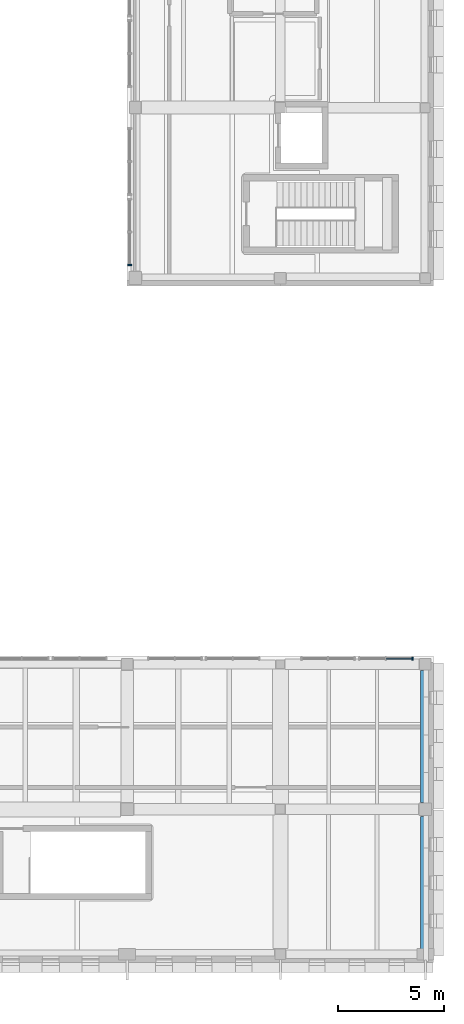
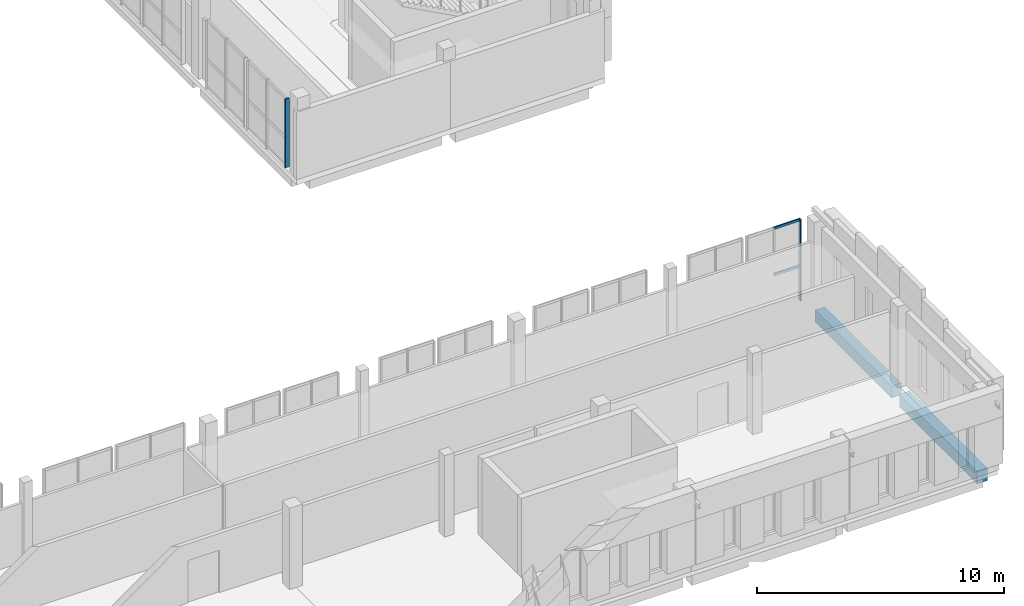
# One storey, part 23 of 56: 4 members, 2 beams, 2 elements without a shape of their own.
"""IFC4 building model written with IfcOpenShell, lengths in metres."""

import ifcopenshell
import ifcopenshell.guid

model = None  # the IFC model being written
_history = None  # IfcOwnerHistory: only IFC2X3 demands one
_inside = {}  # id of a spatial element -> (the spatial element, [elements in it])
_under = {}  # id of a project, library or spatial element -> (it, [spatial elements below it])
_declared = {}  # id of a project -> (the project, [libraries it declares])
_typed = {}  # id of a type object -> (the type object, [elements of that type])
_made_of = {}  # id of a material, layer set ... -> (it, [elements and type objects made of it])


def new_model(schema):
    """Start an empty IFC model of exactly this schema.

    Asked for "IFC4X3", IfcOpenShell would pick the latest addendum, in which some entities
    have other attributes; the version numbers below select the first issue.
    IFC2X3 requires an IfcOwnerHistory on every rooted entity: one is made here for all.
    """
    global model, _history
    if schema == "IFC4X3":
        model = ifcopenshell.file(schema_version=(4, 3, 0, 0))
    else:
        model = ifcopenshell.file(schema=schema)
    _inside.clear()
    _under.clear()
    _declared.clear()
    _typed.clear()
    _made_of.clear()
    _history = None
    if model.schema == "IFC2X3":
        org = make("IfcOrganization", Name="unknown")
        user = make(
            "IfcPersonAndOrganization",
            ThePerson=make("IfcPerson", FamilyName="unknown"),
            TheOrganization=org,
        )
        app = make(
            "IfcApplication",
            ApplicationDeveloper=org,
            Version="unknown",
            ApplicationFullName="unknown",
            ApplicationIdentifier="unknown",
        )
        _history = make(
            "IfcOwnerHistory",
            OwningUser=user,
            OwningApplication=app,
            ChangeAction="ADDED",
            CreationDate=0,
        )
    return model


def make(cls, **values):
    """One entity of the class cls with the attributes given. An attribute that is None is left unset."""
    return model.create_entity(
        cls, **{name: value for name, value in values.items() if value is not None}
    )


def rooted(cls, **values):
    """An entity with a GlobalId (a new one), such as an element, a storey or a relation."""
    return make(cls, GlobalId=ifcopenshell.guid.new(), OwnerHistory=_history, **values)


def si_unit(unit_type, name, prefix=None):
    """IfcSIUnit, for example si_unit("LENGTHUNIT", "METRE", prefix="MILLI")."""
    return make("IfcSIUnit", UnitType=unit_type, Prefix=prefix, Name=name)


def assignment(units):
    """IfcUnitAssignment: the units of a project."""
    return None if units is None else make("IfcUnitAssignment", Units=units)


def point(xyz):
    """IfcCartesianPoint."""
    return None if xyz is None else make("IfcCartesianPoint", Coordinates=xyz)


def direction(xyz):
    """IfcDirection."""
    return None if xyz is None else make("IfcDirection", DirectionRatios=xyz)


def frame(location, z_axis=None, x_axis=None):
    """IfcAxis2Placement3D, a coordinate frame: its origin and axes. An axis left out is left unset."""
    return make(
        "IfcAxis2Placement3D",
        Location=point(location),
        Axis=direction(z_axis),
        RefDirection=direction(x_axis),
    )


def frame_2d(location, x_axis=None):
    """IfcAxis2Placement2D, a coordinate frame in the plane: its origin and x axis."""
    return make(
        "IfcAxis2Placement2D", Location=point(location), RefDirection=direction(x_axis)
    )


def origin():
    """The frame at (0, 0, 0) with its axes left unset."""
    return frame((0.0, 0.0, 0.0))


def origin_2d():
    """The frame at (0, 0) in the plane with its x axis left unset."""
    return frame_2d((0.0, 0.0))


def place(relative_to, where):
    """IfcLocalPlacement: puts the frame where relative to a parent placement (None: the world)."""
    return make(
        "IfcLocalPlacement", PlacementRelTo=relative_to, RelativePlacement=where
    )


def context(
    kind, dimensions, precision=None, world=None, true_north=None, identifier=None
):
    """IfcGeometricRepresentationContext, for example the 3D "Model" context."""
    return make(
        "IfcGeometricRepresentationContext",
        ContextIdentifier=identifier,
        ContextType=kind,
        CoordinateSpaceDimension=dimensions,
        Precision=precision,
        WorldCoordinateSystem=world,
        TrueNorth=true_north,
    )


def subcontext(parent, identifier, kind, view, scale=None):
    """IfcGeometricRepresentationSubContext, for example "Body" below "Model"."""
    return make(
        "IfcGeometricRepresentationSubContext",
        ContextIdentifier=identifier,
        ContextType=kind,
        ParentContext=parent,
        TargetScale=scale,
        TargetView=view,
    )


def project(units=None, contexts=None):
    """IfcProject with its units and contexts."""
    return rooted(
        "IfcProject",
        Name="project",
        RepresentationContexts=contexts,
        UnitsInContext=assignment(units),
    )


def spatial(cls, under=None, at=None, **own):
    """A site, building, storey or space (cls), placed at a placement, below another one or the project."""
    s = rooted(cls, ObjectPlacement=at, **own)
    if under is not None:
        _under.setdefault(under.id(), (under, []))[1].append(s)
    return s


def profile(cls, at=None, kind="AREA", **sizes):
    """A parametric profile (cls). Its sizes go by their IFC names, for example OverallWidth=200.0."""
    return make(cls, ProfileType=kind, Position=at, **sizes)


def rectangle(**sizes):
    """IfcRectangleProfileDef."""
    return profile("IfcRectangleProfileDef", **sizes)


def extrude(swept, where, along, depth):
    """IfcExtrudedAreaSolid: the profile swept, set in the frame where, extruded along a direction by depth."""
    return make(
        "IfcExtrudedAreaSolid",
        SweptArea=swept,
        Position=where,
        ExtrudedDirection=direction(along),
        Depth=depth,
    )


def shape(context_of_items, identifier, shape_type, items):
    """IfcShapeRepresentation: the items that make up one representation, for example the "Body"."""
    return make(
        "IfcShapeRepresentation",
        ContextOfItems=context_of_items,
        RepresentationIdentifier=identifier,
        RepresentationType=shape_type,
        Items=items,
    )


def material(Name=None, Category=None):
    """IfcMaterial."""
    return make("IfcMaterial", Name=Name, Category=Category)


def layer(
    of_material, thickness, ventilated=None, Name=None, Category=None, Priority=None
):
    """IfcMaterialLayer: one layer of a wall or slab, of a material (None: an air gap)."""
    return make(
        "IfcMaterialLayer",
        Material=of_material,
        LayerThickness=thickness,
        IsVentilated=ventilated,
        Name=Name,
        Category=Category,
        Priority=Priority,
    )


def layer_set(layers, Name=None):
    """IfcMaterialLayerSet."""
    return make("IfcMaterialLayerSet", MaterialLayers=layers, LayerSetName=Name)


def material_profile(
    of_material, cross_section, Name=None, Category=None, Priority=None
):
    """IfcMaterialProfile: a cross section and its material."""
    return make(
        "IfcMaterialProfile",
        Name=Name,
        Material=of_material,
        Profile=cross_section,
        Priority=Priority,
        Category=Category,
    )


def profile_set(profiles, Name=None, composite=None):
    """IfcMaterialProfileSet."""
    return make(
        "IfcMaterialProfileSet",
        Name=Name,
        MaterialProfiles=profiles,
        CompositeProfile=composite,
    )


def made_of(thing, what):
    """Note that an element or type object is made of a material, layer set ...; save() writes the relation."""
    if what is not None:
        _made_of.setdefault(what.id(), (what, []))[1].append(thing)
    return thing


def type_object(cls, material=None, **own):
    """A type object (cls), such as IfcWallType, which elements share."""
    return made_of(rooted(cls, **own), material)


def element(
    cls,
    number,
    at=None,
    inside=None,
    cuts=None,
    type_object=None,
    material=None,
    context=None,
    identifier="Body",
    shape_type=None,
    held_by="IfcProductDefinitionShape",
    body=None,
    shapes=None,
    **own,
):
    """One element of the class cls, such as IfcWall. Its Tag is "e" and its number.

    at: its placement. inside: the storey or other place that contains it. cuts: it is an
    opening in that element (IfcRelVoidsElement). A single representation is given by context,
    identifier, shape_type and body (its items); several are given by shapes. held_by: the class
    of the entity that holds the representations. save() writes the other relations.
    """
    e = rooted(cls, Tag="e%d" % number, ObjectPlacement=at, **own)
    if body is not None:
        shapes = [shape(context, identifier, shape_type, body)]
    if shapes is not None:
        e.Representation = make(held_by, Representations=shapes)
    if inside is not None:
        _inside.setdefault(inside.id(), (inside, []))[1].append(e)
    if cuts is not None:
        rooted(
            "IfcRelVoidsElement", RelatingBuildingElement=cuts, RelatedOpeningElement=e
        )
    if type_object is not None:
        _typed.setdefault(type_object.id(), (type_object, []))[1].append(e)
    return made_of(e, material)


def aggregate(whole, parts):
    """IfcRelAggregates: a whole, such as a stair, and the parts it consists of."""
    return rooted("IfcRelAggregates", RelatingObject=whole, RelatedObjects=parts)


def save(model, path):
    """Write the relations noted so far, then the file.

    IfcRelAggregates (storeys below a building ...), IfcRelContainedInSpatialStructure (elements
    in a storey), IfcRelDefinesByType, IfcRelAssociatesMaterial and IfcRelDeclares: one each for
    every whole, place, type object, material and project.
    """
    for whole, parts in _under.values():
        aggregate(whole, parts)
    for where, things in _inside.values():
        rooted(
            "IfcRelContainedInSpatialStructure",
            RelatedElements=things,
            RelatingStructure=where,
        )
    for kind, things in _typed.values():
        rooted("IfcRelDefinesByType", RelatedObjects=things, RelatingType=kind)
    for what, things in _made_of.values():
        rooted("IfcRelAssociatesMaterial", RelatedObjects=things, RelatingMaterial=what)
    for by, libraries in _declared.values():
        rooted("IfcRelDeclares", RelatingContext=by, RelatedDefinitions=libraries)
    model.write(path)


model = new_model("IFC4")

# Units and contexts
model_context = context("Model", 3, precision=1e-05, world=origin(), true_north=direction((0.0, 1.0)))
body_context = subcontext(model_context, "Body", "Model", "MODEL_VIEW")
ifc_project = project(units=[si_unit("LENGTHUNIT", "METRE"), si_unit("AREAUNIT", "SQUARE_METRE"), si_unit("VOLUMEUNIT", "CUBIC_METRE"), si_unit("PLANEANGLEUNIT", "RADIAN"), si_unit("MASSUNIT", "GRAM", prefix="KILO")], contexts=[model_context])

# Site, building, storey
site_placement = place(None, origin())
site = spatial("IfcSite", under=ifc_project, at=site_placement, CompositionType="ELEMENT")
building_placement = place(site_placement, origin())
building = spatial("IfcBuilding", under=site, at=building_placement, Name="Vardoun Plaza Health Centre", CompositionType="ELEMENT")
storey_placement = place(building_placement, frame((0.0, 0.0, 8.699951171875)))
storey = spatial("IfcBuildingStorey", under=building, at=storey_placement, Name="L02", CompositionType="ELEMENT", Elevation=8.699951171875)

# Beams
ifc_material_1 = material(Name="Concrete C35/45", Category="concrete")
ifc_material_profile_1 = material_profile(ifc_material_1, rectangle(XDim=0.449951171875, YDim=0.60009765625, at=origin_2d()), Name="RC-BM 450x600")
ifc_profile_set_1 = profile_set([ifc_material_profile_1], Name="Concrete C35/45")
beam_type_1 = type_object("IfcBeamType", Name="B-11", PredefinedType="SPANDREL", material=ifc_profile_set_1)
beam_1_placement = place(storey_placement, frame((164.919921875, 12.02490234375, -0.594970703125), z_axis=(0.0, 1.0, 0.0), x_axis=(-1.0, 0.0, 0.0)))
element("IfcBeam", 1, at=beam_1_placement, inside=storey, type_object=beam_type_1, Name="V5 L02 Beam B-V5-L02-Y40", PredefinedType="SPANDREL", context=body_context, shape_type="SweptSolid", body=[
    extrude(rectangle(XDim=0.449951171875, YDim=0.60009765625, at=origin_2d()), origin(), (0.0, 0.0, 1.0), 6.195068359375),
])
ifc_material_2 = material(Name="Concrete C35/45", Category="concrete")
ifc_material_profile_2 = material_profile(ifc_material_2, rectangle(XDim=0.47998046875, YDim=0.6201171875, at=origin_2d()), Name="RC-BM 480x620")
ifc_profile_set_2 = profile_set([ifc_material_profile_2], Name="Concrete C35/45")
beam_type_2 = type_object("IfcBeamType", Name="B-12", PredefinedType="SPANDREL", material=ifc_profile_set_2)
beam_2_placement = place(storey_placement, frame((164.919921875, 5.080078125, -0.60498046875), z_axis=(0.0, 1.0, 0.0), x_axis=(-1.0, 0.0, 0.0)))
element("IfcBeam", 2, at=beam_2_placement, inside=storey, type_object=beam_type_2, Name="V5 L02 Beam B-V5-L02-Y39", PredefinedType="SPANDREL", context=body_context, shape_type="SweptSolid", body=[
    extrude(rectangle(XDim=0.47998046875, YDim=0.6201171875, at=origin_2d()), origin(), (0.0, 0.0, 1.0), 6.294921875),
])

# Curtain wall, member
ifc_material_3 = material(Name="Aluminium Alloy EN AW-6063-T6 and Low-E Glass", Category="aluminium")
ifc_layer_1 = layer(ifc_material_3, 0.14990234375)
ifc_layer_set_1 = layer_set([ifc_layer_1], Name="Aluminium Alloy EN AW-6063-T6 and Low-E Glass")
curtain_wall_type_1 = type_object("IfcCurtainWallType", Name="CW-03", PredefinedType="NOTDEFINED", material=ifc_layer_set_1)
curtain_wall_1_placement = place(storey_placement, origin())
curtain_wall_1 = element("IfcCurtainWall", 3, at=curtain_wall_1_placement, inside=storey, type_object=curtain_wall_type_1, Name="Curtain Wall CW-V5-180", PredefinedType="NOTDEFINED")
ifc_material_4 = material(Name="Aluminium Alloy EN AW-6063-T6", Category="aluminium")
ifc_material_profile_3 = material_profile(ifc_material_4, rectangle(XDim=0.159912109375, YDim=0.06005859375, at=origin_2d()), Name="CWM 60x160")
ifc_profile_set_3 = profile_set([ifc_material_profile_3], Name="Aluminium Alloy EN AW-6063-T6")
member_type_1 = type_object("IfcMemberType", Name="CW-M1", PredefinedType="MULLION", material=ifc_profile_set_3)
member_1_placement = place(storey_placement, frame((164.31005859375, 18.780029296875, 0.0), z_axis=(0.0, 0.0, 1.0), x_axis=(0.0, 1.0, 0.0)))
member_1 = element("IfcMember", 4, at=member_1_placement, type_object=member_type_1, Name="CW-V5-180 mullion 3", PredefinedType="MULLION", context=body_context, shape_type="SweptSolid", body=[
    extrude(rectangle(XDim=0.159912109375, YDim=0.06005859375, at=origin_2d()), origin(), (0.0, 0.0, 1.0), 4.005126953125),
])

ifc_material_5 = material(Name="Aluminium Alloy EN AW-6063-T6 and Low-E Glass", Category="aluminium")
ifc_layer_2 = layer(ifc_material_5, 0.179931640625)
ifc_layer_set_2 = layer_set([ifc_layer_2], Name="Aluminium Alloy EN AW-6063-T6 and Low-E Glass")
curtain_wall_type_2 = type_object("IfcCurtainWallType", Name="CW-01", PredefinedType="USERDEFINED", material=ifc_layer_set_2)
curtain_wall_2_placement = place(storey_placement, origin())
curtain_wall_2 = element("IfcCurtainWall", 5, at=curtain_wall_2_placement, inside=storey, type_object=curtain_wall_type_2, Name="Curtain Wall CW-V6-215", ObjectType="CONCOURSE_CURTAIN_WALL", PredefinedType="USERDEFINED")
ifc_material_6 = material(Name="Aluminium Alloy EN AW-6063-T6", Category="aluminium")
ifc_material_profile_4 = material_profile(ifc_material_6, rectangle(XDim=0.179931640625, YDim=0.06494140625, at=origin_2d()), Name="CWM 65x180")
ifc_profile_set_4 = profile_set([ifc_material_profile_4], Name="Aluminium Alloy EN AW-6063-T6")
member_type_2 = type_object("IfcMemberType", Name="CW-M2", PredefinedType="MULLION", material=ifc_profile_set_4)
member_2_placement = place(storey_placement, frame((151.02001953125, 37.29248046875, 0.0), z_axis=(0.0, 0.0, 1.0), x_axis=(-1.0, 0.0, 0.0)))
member_2 = element("IfcMember", 6, at=member_2_placement, type_object=member_type_2, Name="CW-V6-215 mullion 1", PredefinedType="MULLION", context=body_context, shape_type="SweptSolid", body=[
    extrude(rectangle(XDim=0.179931640625, YDim=0.06494140625, at=origin_2d()), origin(), (0.0, 0.0, 1.0), 3.385009765625),
])
aggregate(curtain_wall_2, [member_2])

# Member
ifc_material_7 = material(Name="Aluminium Alloy EN AW-6063-T6", Category="aluminium")
ifc_material_profile_5 = material_profile(ifc_material_7, rectangle(XDim=0.06005859375, YDim=0.1201171875, at=origin_2d()), Name="CWT 60x120")
ifc_profile_set_5 = profile_set([ifc_material_profile_5], Name="Aluminium Alloy EN AW-6063-T6")
member_type_3 = type_object("IfcMemberType", Name="CW-T1", PredefinedType="USERDEFINED", material=ifc_profile_set_5)
member_3_placement = place(storey_placement, frame((163.090087890625, 18.780029296875, 1.68212890625), z_axis=(1.0, 0.0, 0.0), x_axis=(0.0, 1.0, 0.0)))
member_3 = element("IfcMember", 7, at=member_3_placement, type_object=member_type_3, Name="CW-V5-180 transom 2.2", ObjectType="TRANSOM", PredefinedType="USERDEFINED", context=body_context, shape_type="SweptSolid", body=[
    extrude(rectangle(XDim=0.06005859375, YDim=0.1201171875, at=origin_2d()), origin(), (0.0, 0.0, 1.0), 1.18994140625),
])

member_4_placement = place(storey_placement, frame((163.090087890625, 18.780029296875, 3.97509765625), z_axis=(1.0, 0.0, 0.0), x_axis=(0.0, 1.0, 0.0)))
member_4 = element("IfcMember", 8, at=member_4_placement, type_object=member_type_3, Name="CW-V5-180 transom 2.3", ObjectType="TRANSOM", PredefinedType="USERDEFINED", context=body_context, shape_type="SweptSolid", body=[
    extrude(rectangle(XDim=0.06005859375, YDim=0.1201171875, at=origin_2d()), origin(), (0.0, 0.0, 1.0), 1.18994140625),
])

aggregate(curtain_wall_1, [member_1, member_3, member_4])

save(model, "model.ifc")
